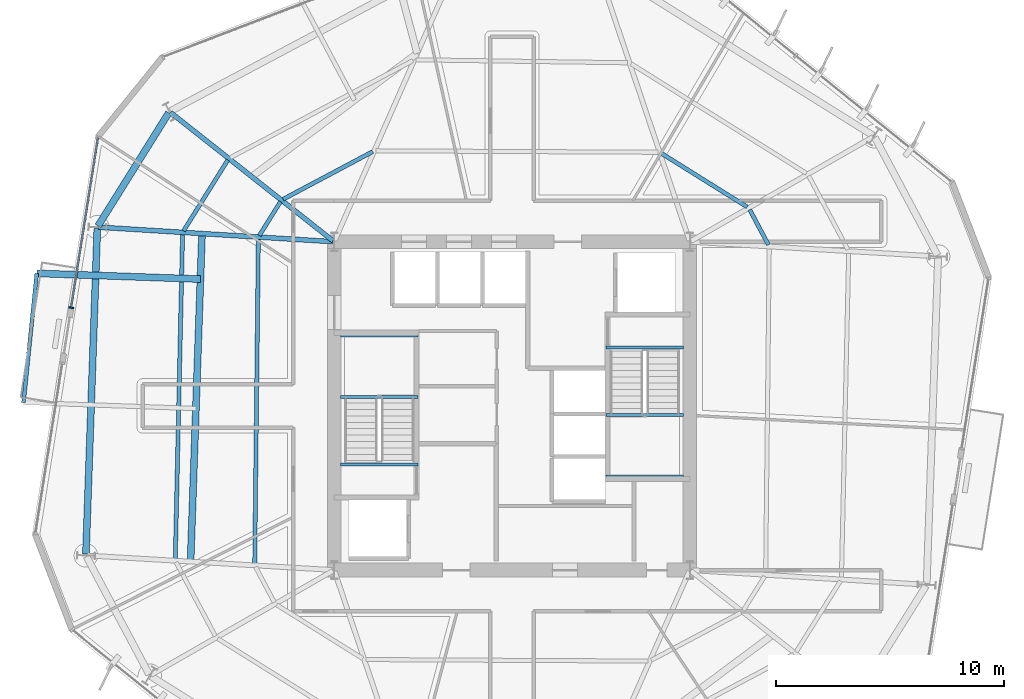
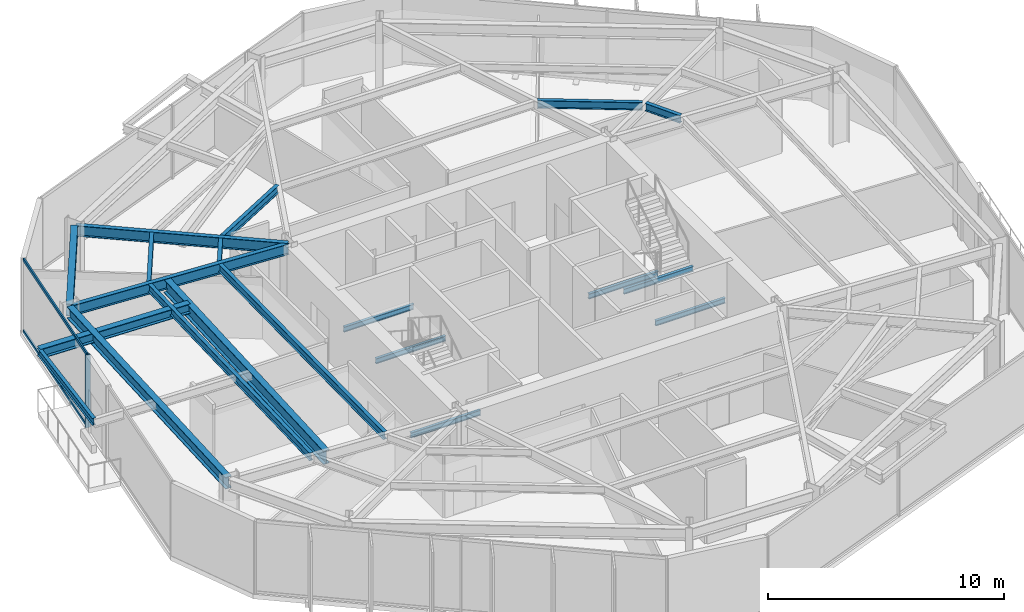
# One storey, part 3 of 11: 20 beams, 3 members, 1 element without a shape of its own.
"""IFC4 building model written with IfcOpenShell, lengths in metres."""

from ifc_helpers import new_model, si_unit, direction, frame, origin, origin_2d, place, context, subcontext, project, spatial, rectangle, i_section, extrude, material, layer, layer_set, material_profile, profile_set, type_object, element, aggregate, save


model = new_model("IFC4")

# Units and contexts
model_context = context("Model", 3, precision=1e-05, world=origin(), true_north=direction((0.0, 1.0)))
body_context = subcontext(model_context, "Body", "Model", "MODEL_VIEW")
ifc_project = project(units=[si_unit("LENGTHUNIT", "METRE"), si_unit("AREAUNIT", "SQUARE_METRE"), si_unit("VOLUMEUNIT", "CUBIC_METRE"), si_unit("PLANEANGLEUNIT", "RADIAN"), si_unit("MASSUNIT", "GRAM", prefix="KILO")], contexts=[model_context])

# Site, building, storey
site_placement = place(None, origin())
site = spatial("IfcSite", under=ifc_project, at=site_placement, CompositionType="ELEMENT")
building_placement = place(site_placement, origin())
building = spatial("IfcBuilding", under=site, at=building_placement, Name="Kranzbogen Civic Tower", CompositionType="ELEMENT")
storey_placement = place(building_placement, frame((0.0, 0.0, 106.39990234375)))
storey = spatial("IfcBuildingStorey", under=building, at=storey_placement, Name="L25", CompositionType="ELEMENT", Elevation=106.39990234375)

# Curtain wall, members
ifc_material_1 = material(Name="Pale Anodised Aluminium", Category="aluminium")
ifc_layer = layer(ifc_material_1, 0.219970703125, Name="Pale Anodised Aluminium")
ifc_layer_set = layer_set([ifc_layer], Name="Pale Anodised Aluminium")
curtain_wall_type = type_object("IfcCurtainWallType", Name="Zone 2 Stick Curtain Wall System CW-03", PredefinedType="USERDEFINED", material=ifc_layer_set)
curtain_wall_placement = place(storey_placement, origin())
curtain_wall = element("IfcCurtainWall", 1, at=curtain_wall_placement, inside=storey, type_object=curtain_wall_type, Name="L25 curtain wall CW-L25-F3-S1", ObjectType="STICK CURTAIN WALL", PredefinedType="USERDEFINED")
ifc_material_profile_1 = material_profile(ifc_material_1, rectangle(XDim=0.074951171875, YDim=0.219970703125, at=origin_2d()), Name="ALU-M 75x220")
ifc_profile_set_1 = profile_set([ifc_material_profile_1], Name="Pale Anodised Aluminium")
member_type_1 = type_object("IfcMemberType", Name="Curtain Wall Mullion ALU-M 75x220", PredefinedType="MULLION", material=ifc_profile_set_1)
member_1_placement = place(storey_placement, frame((5.66357421875, 29.3076171875, 0.0), z_axis=(0.0, 0.0, 1.0), x_axis=(-0.156386286729, -0.987695970085, 0.0)))
member_1 = element("IfcMember", 2, at=member_1_placement, type_object=member_type_1, Name="CW-03 mullion 2", PredefinedType="MULLION", context=body_context, shape_type="SweptSolid", body=[
    extrude(rectangle(XDim=0.074951171875, YDim=0.219970703125, at=origin_2d()), origin(), (0.0, 0.0, 1.0), 3.760009765625),
])
ifc_material_profile_2 = material_profile(ifc_material_1, rectangle(XDim=0.074951171875, YDim=0.1650390625, at=origin_2d()), Name="ALU-T 75x165")
ifc_profile_set_2 = profile_set([ifc_material_profile_2], Name="Pale Anodised Aluminium")
member_type_2 = type_object("IfcMemberType", Name="Curtain Wall Transom ALU-T 75x165", PredefinedType="USERDEFINED", material=ifc_profile_set_2)
member_2_placement = place(storey_placement, frame((6.843505859375, 36.759765625, 0.030029296875), z_axis=(-0.156359603864, -0.987700194532, 0.0), x_axis=(0.987700194532, -0.156359603864, 0.0)))
member_2 = element("IfcMember", 3, at=member_2_placement, type_object=member_type_2, Name="CW-03 transom 1.1", ObjectType="TRANSOM", PredefinedType="USERDEFINED", context=body_context, shape_type="SweptSolid", body=[
    extrude(rectangle(XDim=0.074951171875, YDim=0.1650390625, at=origin_2d()), origin(), (0.0, 0.0, 1.0), 7.51513671875),
])
member_3_placement = place(storey_placement, frame((6.843505859375, 36.759765625, 3.72998046875), z_axis=(-0.156359603864, -0.987700194532, 0.0), x_axis=(0.987700194532, -0.156359603864, 0.0)))
member_3 = element("IfcMember", 4, at=member_3_placement, type_object=member_type_2, Name="CW-03 transom 1.2", ObjectType="TRANSOM", PredefinedType="USERDEFINED", context=body_context, shape_type="SweptSolid", body=[
    extrude(rectangle(XDim=0.074951171875, YDim=0.1650390625, at=origin_2d()), origin(), (0.0, 0.0, 1.0), 7.51513671875),
])
aggregate(curtain_wall, [member_1, member_2, member_3])

# Beams
ifc_material_2 = material(Name="Steel S355", Category="steel")
ifc_material_profile_3 = material_profile(ifc_material_2, i_section(OverallWidth=0.300048828125, OverallDepth=0.5, WebThickness=0.014404296875, FlangeThickness=0.028076171875, at=origin_2d()), Name="HEB 500")
ifc_profile_set_3 = profile_set([ifc_material_profile_3], Name="Steel S355")
beam_type_1 = type_object("IfcBeamType", Name="Perimeter Tube Spandrel Beam HEB 500", PredefinedType="SPANDREL", material=ifc_profile_set_3)
beam_1_placement = place(storey_placement, frame((11.333984375, 30.56298828125, 3.47021484375), z_axis=(-0.999389291385, 0.034943443813, 0.0), x_axis=(-0.034943443813, -0.999389291385, 0.0)))
element("IfcBeam", 5, at=beam_1_placement, inside=storey, type_object=beam_type_1, Name="L26 back-spanned terrace beam L26-ST-1", PredefinedType="SPANDREL", context=body_context, shape_type="SweptSolid", body=[
    extrude(i_section(OverallWidth=0.300048828125, OverallDepth=0.5, WebThickness=0.014404296875, FlangeThickness=0.028076171875, at=origin_2d()), origin(), (0.0, 0.0, 1.0), 7.182373046875),
])
ifc_material_profile_4 = material_profile(ifc_material_2, i_section(OverallWidth=0.300048828125, OverallDepth=0.60009765625, WebThickness=0.015380859375, FlangeThickness=0.030029296875, at=origin_2d()), Name="HEB 600")
ifc_profile_set_4 = profile_set([ifc_material_profile_4], Name="Steel S355")
beam_type_2 = type_object("IfcBeamType", Name="Perimeter Tube Spandrel Beam HEB 600", PredefinedType="SPANDREL", material=ifc_profile_set_4)
beam_2_placement = place(storey_placement, frame((9.945068359375, 37.85693359375, 3.460205078125), z_axis=(-0.529863902903, -0.848082687242, 0.0), x_axis=(0.848082687242, -0.529863902903, 0.0)))
element("IfcBeam", 6, at=beam_2_placement, inside=storey, type_object=beam_type_2, Name="L25 perimeter spandrel beam 11", PredefinedType="SPANDREL", context=body_context, shape_type="SweptSolid", body=[
    extrude(i_section(OverallWidth=0.300048828125, OverallDepth=0.60009765625, WebThickness=0.015380859375, FlangeThickness=0.030029296875, at=origin_2d()), origin(), (0.0, 0.0, 1.0), 5.850830078125),
])
beam_3_placement = place(storey_placement, frame((6.81103515625, 32.783935546875, 3.460205078125), z_axis=(-0.034924229103, -0.999389963038, 0.0), x_axis=(0.999389963038, -0.034924229103, 0.0)))
element("IfcBeam", 7, at=beam_3_placement, inside=storey, type_object=beam_type_2, Name="L25 perimeter spandrel beam 12", PredefinedType="SPANDREL", context=body_context, shape_type="SweptSolid", body=[
    extrude(i_section(OverallWidth=0.300048828125, OverallDepth=0.60009765625, WebThickness=0.015380859375, FlangeThickness=0.030029296875, at=origin_2d()), origin(), (0.0, 0.0, 1.0), 14.288818359375),
])
ifc_material_profile_5 = material_profile(ifc_material_2, i_section(OverallWidth=0.300048828125, OverallDepth=0.699951171875, WebThickness=0.01708984375, FlangeThickness=0.031982421875, at=origin_2d()), Name="HEB 700")
ifc_profile_set_5 = profile_set([ifc_material_profile_5], Name="Steel S355")
beam_type_3 = type_object("IfcBeamType", Name="Perimeter Tube Spandrel Beam HEB 700", PredefinedType="SPANDREL", material=ifc_profile_set_5)
beam_4_placement = place(storey_placement, frame((11.404052734375, 32.55908203125, 3.3701171875), z_axis=(-0.034868227602, -0.99939191847, 0.0), x_axis=(0.99939191847, -0.034868227602, 0.0)))
element("IfcBeam", 8, at=beam_4_placement, inside=storey, type_object=beam_type_3, Name="L26 balcony back-span header girder L26-ST", PredefinedType="SPANDREL", context=body_context, shape_type="SweptSolid", body=[
    extrude(i_section(OverallWidth=0.300048828125, OverallDepth=0.699951171875, WebThickness=0.01708984375, FlangeThickness=0.031982421875, at=origin_2d()), origin(), (0.0, 0.0, 1.0), 14.395751953125),
])
ifc_material_profile_6 = material_profile(ifc_material_2, i_section(OverallWidth=0.2099609375, OverallDepth=0.550048828125, WebThickness=0.010986328125, FlangeThickness=0.01708984375, at=origin_2d()), Name="IPE 550")
ifc_profile_set_6 = profile_set([ifc_material_profile_6], Name="Steel S355")
beam_type_4 = type_object("IfcBeamType", Name="Radial Tower Floor Girder IPE 550", PredefinedType="BEAM", material=ifc_profile_set_6)
beam_5_placement = place(storey_placement, frame((10.02392578125, 37.87109375, 3.485107421875), z_axis=(0.78457455683, -0.620034486763, 0.0), x_axis=(0.620034486763, 0.78457455683, 0.0)))
element("IfcBeam", 9, at=beam_5_placement, inside=storey, type_object=beam_type_4, Name="L25 radial floor girder 11", PredefinedType="BEAM", context=body_context, shape_type="SweptSolid", body=[
    extrude(i_section(OverallWidth=0.2099609375, OverallDepth=0.550048828125, WebThickness=0.010986328125, FlangeThickness=0.01708984375, at=origin_2d()), origin(), (0.0, 0.0, 1.0), 9.086669921875),
])
beam_6_placement = place(storey_placement, frame((6.873046875, 32.840087890625, 3.485107421875), z_axis=(0.998086872961, -0.061827130147, 0.0), x_axis=(0.061827130147, 0.998086872961, 0.0)))
element("IfcBeam", 10, at=beam_6_placement, inside=storey, type_object=beam_type_4, Name="L25 radial floor girder 12", PredefinedType="BEAM", context=body_context, shape_type="SweptSolid", body=[
    extrude(i_section(OverallWidth=0.2099609375, OverallDepth=0.550048828125, WebThickness=0.010986328125, FlangeThickness=0.01708984375, at=origin_2d()), origin(), (0.0, 0.0, 1.0), 10.28662109375),
])
ifc_material_profile_7 = material_profile(ifc_material_2, i_section(OverallWidth=0.169921875, OverallDepth=0.360107421875, WebThickness=0.008056640625, FlangeThickness=0.0126953125, at=origin_2d()), Name="IPE 360")
ifc_profile_set_7 = profile_set([ifc_material_profile_7], Name="Steel S355")
beam_type_5 = type_object("IfcBeamType", Name="Secondary Composite Floor Joist IPE 360", PredefinedType="JOIST", material=ifc_profile_set_7)
beam_7_placement = place(storey_placement, frame((4.156005859375, 30.81396484375, 3.5400390625), z_axis=(-0.101880893592, -0.994796604096, 0.0), x_axis=(0.994796604096, -0.101880893592, 0.0)))
element("IfcBeam", 11, at=beam_7_placement, inside=storey, type_object=beam_type_5, Name="L26 terrace outer edge trimmer L26-ST", PredefinedType="JOIST", context=body_context, shape_type="SweptSolid", body=[
    extrude(i_section(OverallWidth=0.169921875, OverallDepth=0.360107421875, WebThickness=0.008056640625, FlangeThickness=0.0126953125, at=origin_2d()), origin(), (0.0, 0.0, 1.0), 5.693603515625),
])
ifc_material_profile_8 = material_profile(ifc_material_2, i_section(OverallWidth=0.179931640625, OverallDepth=0.39990234375, WebThickness=0.008544921875, FlangeThickness=0.013427734375, at=origin_2d()), Name="IPE 400")
ifc_profile_set_8 = profile_set([ifc_material_profile_8], Name="Steel S355")
beam_type_6 = type_object("IfcBeamType", Name="Secondary Composite Floor Joist IPE 400", PredefinedType="JOIST", material=ifc_profile_set_8)
beam_8_placement = place(storey_placement, frame((36.2470703125, 32.06494140625, 3.56005859375), z_axis=(-0.46943723363, 0.882965845139, 0.0), x_axis=(-0.882965845139, -0.46943723363, 0.0)))
element("IfcBeam", 12, at=beam_8_placement, inside=storey, type_object=beam_type_6, Name="L25 secondary floor joist 2.07", PredefinedType="JOIST", context=body_context, shape_type="SweptSolid", body=[
    extrude(i_section(OverallWidth=0.179931640625, OverallDepth=0.39990234375, WebThickness=0.008544921875, FlangeThickness=0.013427734375, at=origin_2d()), origin(), (0.0, 0.0, 1.0), 1.7509765625),
])
beam_9_placement = place(storey_placement, frame((35.320068359375, 33.72412109375, 3.56005859375), z_axis=(-0.848093834398, 0.529846060716, 0.0), x_axis=(-0.529846060716, -0.848093834398, 0.0)))
element("IfcBeam", 13, at=beam_9_placement, inside=storey, type_object=beam_type_6, Name="L25 secondary floor joist 2.08", PredefinedType="JOIST", context=body_context, shape_type="SweptSolid", body=[
    extrude(i_section(OverallWidth=0.179931640625, OverallDepth=0.39990234375, WebThickness=0.008544921875, FlangeThickness=0.013427734375, at=origin_2d()), origin(), (0.0, 0.0, 1.0), 4.4501953125),
])
beam_10_placement = place(storey_placement, frame((18.888916015625, 36.153076171875, 3.56005859375), z_axis=(-0.882991399158, -0.469389165844, 0.0), x_axis=(0.469389165844, -0.882991399158, 0.0)))
element("IfcBeam", 14, at=beam_10_placement, inside=storey, type_object=beam_type_6, Name="L25 secondary floor joist 2.10", PredefinedType="JOIST", context=body_context, shape_type="SweptSolid", body=[
    extrude(i_section(OverallWidth=0.179931640625, OverallDepth=0.39990234375, WebThickness=0.008544921875, FlangeThickness=0.013427734375, at=origin_2d()), origin(), (0.0, 0.0, 1.0), 4.45068359375),
])
beam_11_placement = place(storey_placement, frame((12.534912109375, 35.784912109375, 3.56005859375), z_axis=(-0.529867065107, -0.848080711557, 0.0), x_axis=(0.848080711557, -0.529867065107, 0.0)))
element("IfcBeam", 15, at=beam_11_placement, inside=storey, type_object=beam_type_6, Name="L25 secondary floor joist 1.11", PredefinedType="JOIST", context=body_context, shape_type="SweptSolid", body=[
    extrude(i_section(OverallWidth=0.179931640625, OverallDepth=0.39990234375, WebThickness=0.008544921875, FlangeThickness=0.013427734375, at=origin_2d()), origin(), (0.0, 0.0, 1.0), 3.6611328125),
])
beam_12_placement = place(storey_placement, frame((14.845947265625, 33.958984375, 3.56005859375), z_axis=(-0.529572623603, -0.84826460278, 0.0), x_axis=(0.84826460278, -0.529572623603, 0.0)))
element("IfcBeam", 16, at=beam_12_placement, inside=storey, type_object=beam_type_6, Name="L25 secondary floor joist 2.11", PredefinedType="JOIST", context=body_context, shape_type="SweptSolid", body=[
    extrude(i_section(OverallWidth=0.179931640625, OverallDepth=0.39990234375, WebThickness=0.008544921875, FlangeThickness=0.013427734375, at=origin_2d()), origin(), (0.0, 0.0, 1.0), 1.75048828125),
])
beam_13_placement = place(storey_placement, frame((10.551025390625, 32.531982421875, 3.56005859375), z_axis=(-0.022402523442, -0.999749031979, 0.0), x_axis=(0.999749031979, -0.022402523442, 0.0)))
element("IfcBeam", 17, at=beam_13_placement, inside=storey, type_object=beam_type_6, Name="L25 secondary floor joist 1.12", PredefinedType="JOIST", context=body_context, shape_type="SweptSolid", body=[
    extrude(i_section(OverallWidth=0.179931640625, OverallDepth=0.39990234375, WebThickness=0.008544921875, FlangeThickness=0.013427734375, at=origin_2d()), origin(), (0.0, 0.0, 1.0), 14.24365234375),
])
beam_14_placement = place(storey_placement, frame((13.875, 32.325927734375, 3.56005859375), z_axis=(-0.011160516663, -0.999937719494, 0.0), x_axis=(0.999937719494, -0.011160516663, 0.0)))
element("IfcBeam", 18, at=beam_14_placement, inside=storey, type_object=beam_type_6, Name="L25 secondary floor joist 2.12", PredefinedType="JOIST", context=body_context, shape_type="SweptSolid", body=[
    extrude(i_section(OverallWidth=0.179931640625, OverallDepth=0.39990234375, WebThickness=0.008544921875, FlangeThickness=0.013427734375, at=origin_2d()), origin(), (0.0, 0.0, 1.0), 14.240966796875),
])
ifc_material_profile_9 = material_profile(ifc_material_2, i_section(OverallWidth=0.135009765625, OverallDepth=0.27001953125, WebThickness=0.006591796875, FlangeThickness=0.01025390625, at=origin_2d()), Name="IPE 270")
ifc_profile_set_9 = profile_set([ifc_material_profile_9], Name="Steel S355")
beam_type_7 = type_object("IfcBeamType", Name="Stair Landing Support Beam IPE 270", PredefinedType="JOIST", material=ifc_profile_set_9)
for number, where, z_axis, x_axis, name in (
    (19, (20.8798828125, 22.43994140625, -0.375), (-1.0, 0.0, 0.0), (0.0, -1.0, 0.0), "L25 ST-T1 stair floor header beam"),
    (20, (20.8798828125, 25.39990234375, 1.6650390625), (-1.0, 0.0, 0.0), (0.0, -1.0, 0.0), "L25 ST-T1 landing support beam 1.1"),
    (21, (20.8798828125, 28.10009765625, 1.6650390625), (-1.0, 0.0, 0.0), (0.0, -1.0, 0.0), "L25 ST-T1 landing support beam 1.2"),
    (22, (29.1201171875, 27.56005859375, -0.375), (1.0, 0.0, 0.0), (0.0, 1.0, 0.0), "L25 ST-T2 stair floor header beam"),
    (23, (29.1201171875, 24.60009765625, 1.6650390625), (1.0, 0.0, 0.0), (0.0, 1.0, 0.0), "L25 ST-T2 landing support beam 1.1"),
    (24, (29.1201171875, 21.89990234375, 1.6650390625), (1.0, 0.0, 0.0), (0.0, 1.0, 0.0), "L25 ST-T2 landing support beam 1.2"),
):
    element("IfcBeam", number, at=place(storey_placement, frame(where, z_axis=z_axis, x_axis=x_axis)), inside=storey, type_object=beam_type_7, Name=name, PredefinedType="JOIST", context=body_context, shape_type="SweptSolid", body=[
        extrude(i_section(OverallWidth=0.135009765625, OverallDepth=0.27001953125, WebThickness=0.006591796875, FlangeThickness=0.01025390625, at=origin_2d()), origin(), (0.0, 0.0, 1.0), 3.409912109375),
    ])

save(model, "model.ifc")
